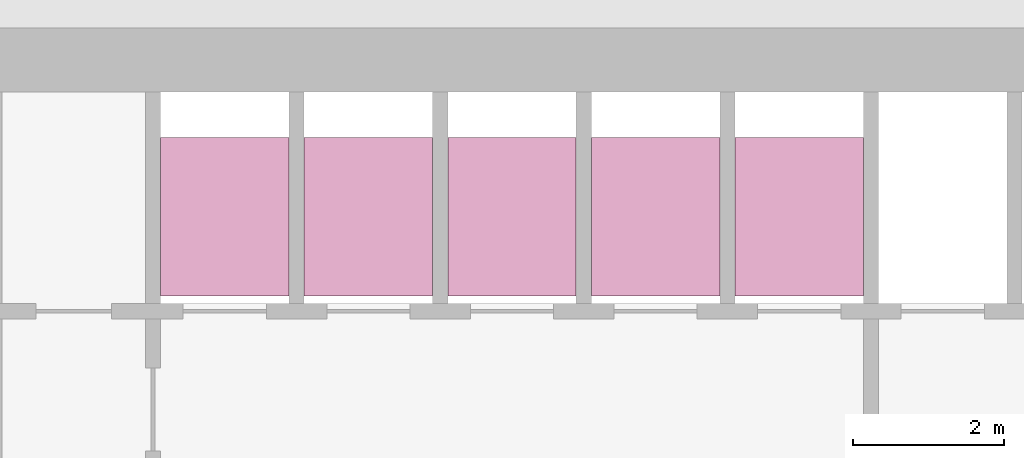
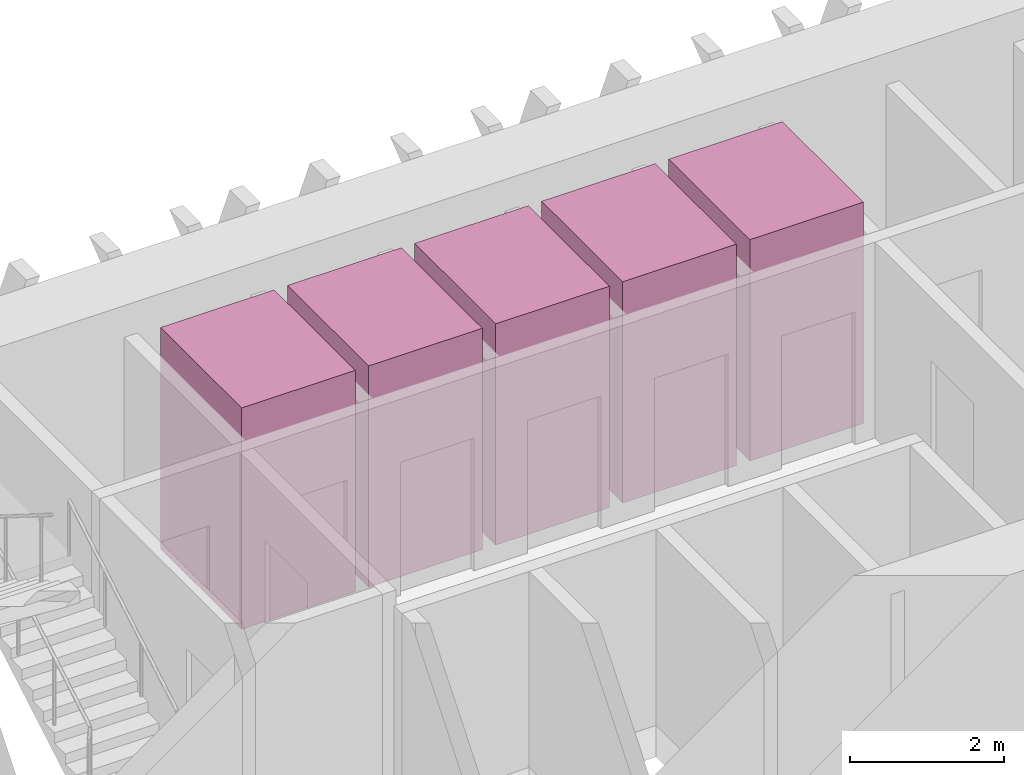
# One storey, part 17 of 17: 5 transport elements.
"""IFC4 building model written with IfcOpenShell, lengths in metres."""

import ifcopenshell
import ifcopenshell.guid

model = None  # the IFC model being written
_history = None  # IfcOwnerHistory: only IFC2X3 demands one
_inside = {}  # id of a spatial element -> (the spatial element, [elements in it])
_under = {}  # id of a project, library or spatial element -> (it, [spatial elements below it])
_declared = {}  # id of a project -> (the project, [libraries it declares])
_typed = {}  # id of a type object -> (the type object, [elements of that type])
_made_of = {}  # id of a material, layer set ... -> (it, [elements and type objects made of it])


def new_model(schema):
    """Start an empty IFC model of exactly this schema.

    Asked for "IFC4X3", IfcOpenShell would pick the latest addendum, in which some entities
    have other attributes; the version numbers below select the first issue.
    IFC2X3 requires an IfcOwnerHistory on every rooted entity: one is made here for all.
    """
    global model, _history
    if schema == "IFC4X3":
        model = ifcopenshell.file(schema_version=(4, 3, 0, 0))
    else:
        model = ifcopenshell.file(schema=schema)
    _inside.clear()
    _under.clear()
    _declared.clear()
    _typed.clear()
    _made_of.clear()
    _history = None
    if model.schema == "IFC2X3":
        org = make("IfcOrganization", Name="unknown")
        user = make(
            "IfcPersonAndOrganization",
            ThePerson=make("IfcPerson", FamilyName="unknown"),
            TheOrganization=org,
        )
        app = make(
            "IfcApplication",
            ApplicationDeveloper=org,
            Version="unknown",
            ApplicationFullName="unknown",
            ApplicationIdentifier="unknown",
        )
        _history = make(
            "IfcOwnerHistory",
            OwningUser=user,
            OwningApplication=app,
            ChangeAction="ADDED",
            CreationDate=0,
        )
    return model


def make(cls, **values):
    """One entity of the class cls with the attributes given. An attribute that is None is left unset."""
    return model.create_entity(
        cls, **{name: value for name, value in values.items() if value is not None}
    )


def rooted(cls, **values):
    """An entity with a GlobalId (a new one), such as an element, a storey or a relation."""
    return make(cls, GlobalId=ifcopenshell.guid.new(), OwnerHistory=_history, **values)


def si_unit(unit_type, name, prefix=None):
    """IfcSIUnit, for example si_unit("LENGTHUNIT", "METRE", prefix="MILLI")."""
    return make("IfcSIUnit", UnitType=unit_type, Prefix=prefix, Name=name)


def assignment(units):
    """IfcUnitAssignment: the units of a project."""
    return None if units is None else make("IfcUnitAssignment", Units=units)


def point(xyz):
    """IfcCartesianPoint."""
    return None if xyz is None else make("IfcCartesianPoint", Coordinates=xyz)


def direction(xyz):
    """IfcDirection."""
    return None if xyz is None else make("IfcDirection", DirectionRatios=xyz)


def frame(location, z_axis=None, x_axis=None):
    """IfcAxis2Placement3D, a coordinate frame: its origin and axes. An axis left out is left unset."""
    return make(
        "IfcAxis2Placement3D",
        Location=point(location),
        Axis=direction(z_axis),
        RefDirection=direction(x_axis),
    )


def frame_2d(location, x_axis=None):
    """IfcAxis2Placement2D, a coordinate frame in the plane: its origin and x axis."""
    return make(
        "IfcAxis2Placement2D", Location=point(location), RefDirection=direction(x_axis)
    )


def origin():
    """The frame at (0, 0, 0) with its axes left unset."""
    return frame((0.0, 0.0, 0.0))


def origin_2d():
    """The frame at (0, 0) in the plane with its x axis left unset."""
    return frame_2d((0.0, 0.0))


def place(relative_to, where):
    """IfcLocalPlacement: puts the frame where relative to a parent placement (None: the world)."""
    return make(
        "IfcLocalPlacement", PlacementRelTo=relative_to, RelativePlacement=where
    )


def context(
    kind, dimensions, precision=None, world=None, true_north=None, identifier=None
):
    """IfcGeometricRepresentationContext, for example the 3D "Model" context."""
    return make(
        "IfcGeometricRepresentationContext",
        ContextIdentifier=identifier,
        ContextType=kind,
        CoordinateSpaceDimension=dimensions,
        Precision=precision,
        WorldCoordinateSystem=world,
        TrueNorth=true_north,
    )


def subcontext(parent, identifier, kind, view, scale=None):
    """IfcGeometricRepresentationSubContext, for example "Body" below "Model"."""
    return make(
        "IfcGeometricRepresentationSubContext",
        ContextIdentifier=identifier,
        ContextType=kind,
        ParentContext=parent,
        TargetScale=scale,
        TargetView=view,
    )


def project(units=None, contexts=None):
    """IfcProject with its units and contexts."""
    return rooted(
        "IfcProject",
        Name="project",
        RepresentationContexts=contexts,
        UnitsInContext=assignment(units),
    )


def spatial(cls, under=None, at=None, **own):
    """A site, building, storey or space (cls), placed at a placement, below another one or the project."""
    s = rooted(cls, ObjectPlacement=at, **own)
    if under is not None:
        _under.setdefault(under.id(), (under, []))[1].append(s)
    return s


def profile(cls, at=None, kind="AREA", **sizes):
    """A parametric profile (cls). Its sizes go by their IFC names, for example OverallWidth=200.0."""
    return make(cls, ProfileType=kind, Position=at, **sizes)


def rectangle(**sizes):
    """IfcRectangleProfileDef."""
    return profile("IfcRectangleProfileDef", **sizes)


def extrude(swept, where, along, depth):
    """IfcExtrudedAreaSolid: the profile swept, set in the frame where, extruded along a direction by depth."""
    return make(
        "IfcExtrudedAreaSolid",
        SweptArea=swept,
        Position=where,
        ExtrudedDirection=direction(along),
        Depth=depth,
    )


def shape(context_of_items, identifier, shape_type, items):
    """IfcShapeRepresentation: the items that make up one representation, for example the "Body"."""
    return make(
        "IfcShapeRepresentation",
        ContextOfItems=context_of_items,
        RepresentationIdentifier=identifier,
        RepresentationType=shape_type,
        Items=items,
    )


def material(Name=None, Category=None):
    """IfcMaterial."""
    return make("IfcMaterial", Name=Name, Category=Category)


def made_of(thing, what):
    """Note that an element or type object is made of a material, layer set ...; save() writes the relation."""
    if what is not None:
        _made_of.setdefault(what.id(), (what, []))[1].append(thing)
    return thing


def type_object(cls, material=None, **own):
    """A type object (cls), such as IfcWallType, which elements share."""
    return made_of(rooted(cls, **own), material)


def element(
    cls,
    number,
    at=None,
    inside=None,
    cuts=None,
    type_object=None,
    material=None,
    context=None,
    identifier="Body",
    shape_type=None,
    held_by="IfcProductDefinitionShape",
    body=None,
    shapes=None,
    **own,
):
    """One element of the class cls, such as IfcWall. Its Tag is "e" and its number.

    at: its placement. inside: the storey or other place that contains it. cuts: it is an
    opening in that element (IfcRelVoidsElement). A single representation is given by context,
    identifier, shape_type and body (its items); several are given by shapes. held_by: the class
    of the entity that holds the representations. save() writes the other relations.
    """
    e = rooted(cls, Tag="e%d" % number, ObjectPlacement=at, **own)
    if body is not None:
        shapes = [shape(context, identifier, shape_type, body)]
    if shapes is not None:
        e.Representation = make(held_by, Representations=shapes)
    if inside is not None:
        _inside.setdefault(inside.id(), (inside, []))[1].append(e)
    if cuts is not None:
        rooted(
            "IfcRelVoidsElement", RelatingBuildingElement=cuts, RelatedOpeningElement=e
        )
    if type_object is not None:
        _typed.setdefault(type_object.id(), (type_object, []))[1].append(e)
    return made_of(e, material)


def aggregate(whole, parts):
    """IfcRelAggregates: a whole, such as a stair, and the parts it consists of."""
    return rooted("IfcRelAggregates", RelatingObject=whole, RelatedObjects=parts)


def save(model, path):
    """Write the relations noted so far, then the file.

    IfcRelAggregates (storeys below a building ...), IfcRelContainedInSpatialStructure (elements
    in a storey), IfcRelDefinesByType, IfcRelAssociatesMaterial and IfcRelDeclares: one each for
    every whole, place, type object, material and project.
    """
    for whole, parts in _under.values():
        aggregate(whole, parts)
    for where, things in _inside.values():
        rooted(
            "IfcRelContainedInSpatialStructure",
            RelatedElements=things,
            RelatingStructure=where,
        )
    for kind, things in _typed.values():
        rooted("IfcRelDefinesByType", RelatedObjects=things, RelatingType=kind)
    for what, things in _made_of.values():
        rooted("IfcRelAssociatesMaterial", RelatedObjects=things, RelatingMaterial=what)
    for by, libraries in _declared.values():
        rooted("IfcRelDeclares", RelatingContext=by, RelatedDefinitions=libraries)
    model.write(path)


model = new_model("IFC4")

# Units and contexts
model_context = context("Model", 3, precision=1e-05, world=origin(), true_north=direction((0.0, 1.0)))
body_context = subcontext(model_context, "Body", "Model", "MODEL_VIEW")
ifc_project = project(units=[si_unit("LENGTHUNIT", "METRE"), si_unit("AREAUNIT", "SQUARE_METRE"), si_unit("VOLUMEUNIT", "CUBIC_METRE"), si_unit("PLANEANGLEUNIT", "RADIAN"), si_unit("MASSUNIT", "GRAM", prefix="KILO")], contexts=[model_context])

# Site, building, storey
site_placement = place(None, origin())
site = spatial("IfcSite", under=ifc_project, at=site_placement, CompositionType="ELEMENT")
building_placement = place(site_placement, origin())
building = spatial("IfcBuilding", under=site, at=building_placement, Name="Altiplano Prism Tower", CompositionType="ELEMENT")
storey_placement = place(building_placement, frame((0.0, 0.0, 30.60009765625)))
storey = spatial("IfcBuildingStorey", under=building, at=storey_placement, Name="L06", CompositionType="ELEMENT", Elevation=30.60009765625)

# Transport elements
ifc_material = material(Name="Stainless steel lift car", Category="steel")
transport_element_type = type_object("IfcTransportElementType", Name="Passenger lift car 1600 x 2100", PredefinedType="ELEVATOR", material=ifc_material)
for number, where, z_axis, x_axis, name in (
    (1, (79.050048828125, 101.75, 0.0498046875), (0.0, 0.0, 1.0), (1.0, 0.0, 0.0), "Low Zone Passenger Lift 1"),
    (2, (80.949951171875, 101.75, 0.0498046875), (0.0, 0.0, 1.0), (1.0, 0.0, 0.0), "Low Zone Passenger Lift 2"),
    (3, (82.85009765625, 101.75, 0.0498046875), (0.0, 0.0, 1.0), (1.0, 0.0, 0.0), "Low Zone Passenger Lift 3"),
    (4, (84.75, 101.75, 0.0498046875), (0.0, 0.0, 1.0), (1.0, 0.0, 0.0), "Low Zone Passenger Lift 4"),
    (5, (86.64990234375, 101.75, 0.0498046875), (0.0, 0.0, 1.0), (1.0, 0.0, 0.0), "Low Zone Passenger Lift 5"),
):
    element("IfcTransportElement", number, at=place(storey_placement, frame(where, z_axis=z_axis, x_axis=x_axis)), inside=storey, type_object=transport_element_type, Name=name, PredefinedType="ELEVATOR", context=body_context, shape_type="SweptSolid", body=[
        extrude(rectangle(XDim=1.699951171875, YDim=2.10009765625, at=origin_2d()), origin(), (0.0, 0.0, 1.0), 3.5),
    ])

save(model, "model.ifc")
